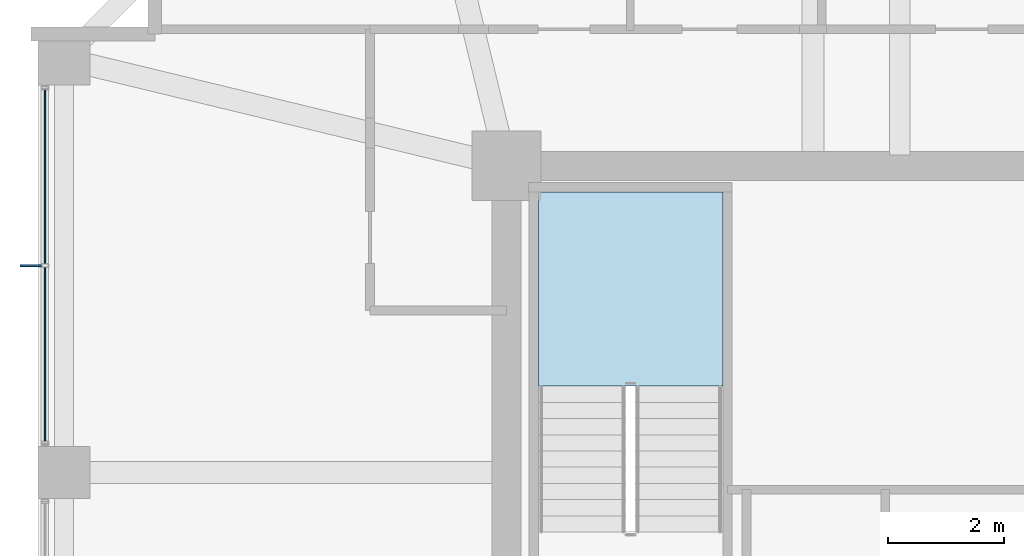
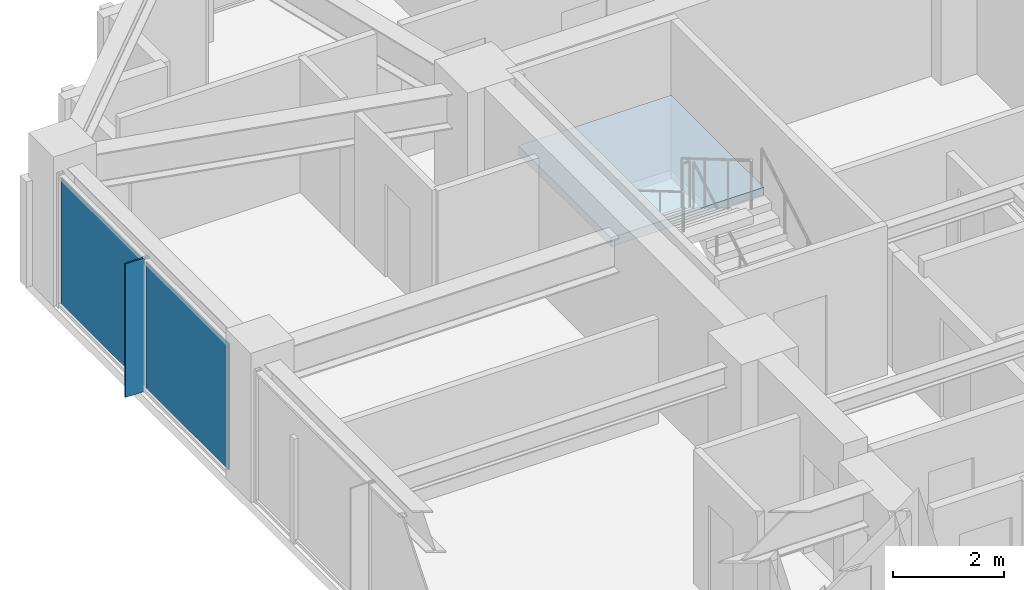
# One storey, part 23 of 31: 3 plates, 1 slab, 2 elements without a shape of their own.
"""IFC4 building model written with IfcOpenShell, lengths in metres."""

from ifc_helpers import new_model, si_unit, direction, frame, origin, origin_2d, place, context, subcontext, project, spatial, polyline, rectangle, outline, extrude, material, layer, layer_set, type_object, element, aggregate, save


model = new_model("IFC4")

# Units and contexts
model_context = context("Model", 3, precision=1e-05, world=origin(), true_north=direction((0.0, 1.0)))
body_context = subcontext(model_context, "Body", "Model", "MODEL_VIEW")
ifc_project = project(units=[si_unit("LENGTHUNIT", "METRE"), si_unit("AREAUNIT", "SQUARE_METRE"), si_unit("VOLUMEUNIT", "CUBIC_METRE"), si_unit("PLANEANGLEUNIT", "RADIAN"), si_unit("MASSUNIT", "GRAM", prefix="KILO")], contexts=[model_context])

# Site, building, storey
site_placement = place(None, origin())
site = spatial("IfcSite", under=ifc_project, at=site_placement, CompositionType="ELEMENT")
building_placement = place(site_placement, origin())
building = spatial("IfcBuilding", under=site, at=building_placement, Name="Kolvaren Belvedere", CompositionType="ELEMENT")
storey_placement = place(building_placement, frame((0.0, 0.0, 144.800048828125)))
storey = spatial("IfcBuildingStorey", under=building, at=storey_placement, Name="L42", CompositionType="ELEMENT", Elevation=144.800048828125)

# Curtain wall, plates
ifc_material_1 = material(Name="Anodised pale-metal aluminium AA 6063-T6", Category="aluminium")
curtain_wall_type = type_object("IfcCurtainWallType", Name="CW-Z3-WAIST", PredefinedType="NOTDEFINED", material=ifc_material_1)
curtain_wall_placement = place(storey_placement, origin())
curtain_wall = element("IfcCurtainWall", 1, at=curtain_wall_placement, inside=storey, type_object=curtain_wall_type, Name="L42 Unitised Curtain Wall FCW-L42-W-B3", PredefinedType="NOTDEFINED")
ifc_material_2 = material(Name="Low-iron triple insulated glass", Category="glass")
ifc_layer_1 = layer(ifc_material_2, 0.028076171875)
ifc_layer_set_1 = layer_set([ifc_layer_1], Name="Low-iron triple insulated glass")
plate_type_1 = type_object("IfcPlateType", Name="CW-PNL-VIS28", PredefinedType="CURTAIN_PANEL", material=ifc_layer_set_1)
plate_1_placement = place(storey_placement, frame((-17.8798828125, 6.638671875, 0.079833984375), z_axis=(0.0, 0.0, 1.0), x_axis=(0.0, 1.0, 0.0)))
plate_1 = element("IfcPlate", 2, at=plate_1_placement, type_object=plate_type_1, Name="FCW-L42-W-B3 Vision Glazing Panel 1", PredefinedType="CURTAIN_PANEL", context=body_context, shape_type="SweptSolid", body=[
    extrude(rectangle(XDim=2.992431640625, YDim=0.028076171875, at=origin_2d()), origin(), (0.0, 0.0, 1.0), 2.7900390625),
])
plate_2_placement = place(storey_placement, frame((-17.8798828125, 9.711181640625, 0.079833984375), z_axis=(0.0, 0.0, 1.0), x_axis=(0.0, 1.0, 0.0)))
plate_2 = element("IfcPlate", 3, at=plate_2_placement, type_object=plate_type_1, Name="FCW-L42-W-B3 Vision Glazing Panel 2", PredefinedType="CURTAIN_PANEL", context=body_context, shape_type="SweptSolid", body=[
    extrude(rectangle(XDim=2.992431640625, YDim=0.028076171875, at=origin_2d()), origin(), (0.0, 0.0, 1.0), 2.7900390625),
])
aggregate(curtain_wall, [plate_1, plate_2])

# Plate
ifc_material_3 = material(Name="Anodised pale-metal aluminium AA 6063-T6", Category="aluminium")
ifc_layer_2 = layer(ifc_material_3, 0.033935546875)
ifc_layer_set_2 = layer_set([ifc_layer_2], Name="Anodised pale-metal aluminium AA 6063-T6")
plate_type_2 = type_object("IfcPlateType", Name="FIN-VERT-380", PredefinedType="USERDEFINED", material=ifc_layer_set_2)
plate_3_placement = place(storey_placement, frame((-18.1201171875, 8.175048828125, 0.0), z_axis=(0.0, 0.0, 1.0), x_axis=(1.0, 0.0, 0.0)))
element("IfcPlate", 4, at=plate_3_placement, inside=storey, type_object=plate_type_2, Name="L42 Pale-Metal Vertical Shading Fin FCW-L42-W-B3-1", ObjectType="VERTICAL FIN", PredefinedType="USERDEFINED", context=body_context, shape_type="SweptSolid", body=[
    extrude(rectangle(XDim=0.3798828125, YDim=0.033935546875, at=origin_2d()), origin(), (0.0, 0.0, 1.0), 2.949951171875),
])

# Stair, slab
ifc_material_4 = material(Name="Concrete C50/60", Category="concrete")
stair_type = type_object("IfcStairType", Name="ST-CORE-1520", PredefinedType="HALF_TURN_STAIR", material=ifc_material_4)
stair_placement = place(storey_placement, origin())
stair = element("IfcStair", 5, at=stair_placement, inside=storey, type_object=stair_type, Name="L42 Protected Exit Stair ST-1", PredefinedType="HALF_TURN_STAIR")
ifc_material_5 = material(Name="Concrete C50/60", Category="concrete")
ifc_layer_3 = layer(ifc_material_5, 0.260009765625)
ifc_layer_set_3 = layer_set([ifc_layer_3], Name="Concrete C50/60")
slab_type = type_object("IfcSlabType", Name="SL-LAND-260", PredefinedType="LANDING", material=ifc_layer_set_3)
slab_placement = place(storey_placement, frame((0.0, 0.0, 1.449951171875)))
slab = element("IfcSlab", 6, at=slab_placement, type_object=slab_type, Name="ST-1 landing 1", PredefinedType="LANDING", context=body_context, shape_type="SweptSolid", body=[
    extrude(outline(polyline([(-6.159912109375, 6.090087890625), (-6.159912109375, 9.449951171875), (-9.35009765625, 9.449951171875), (-9.35009765625, 6.090087890625), (-6.159912109375, 6.090087890625)])), origin(), (0.0, 0.0, 1.0), 0.199951171875),
])
aggregate(stair, [slab])

save(model, "model.ifc")
